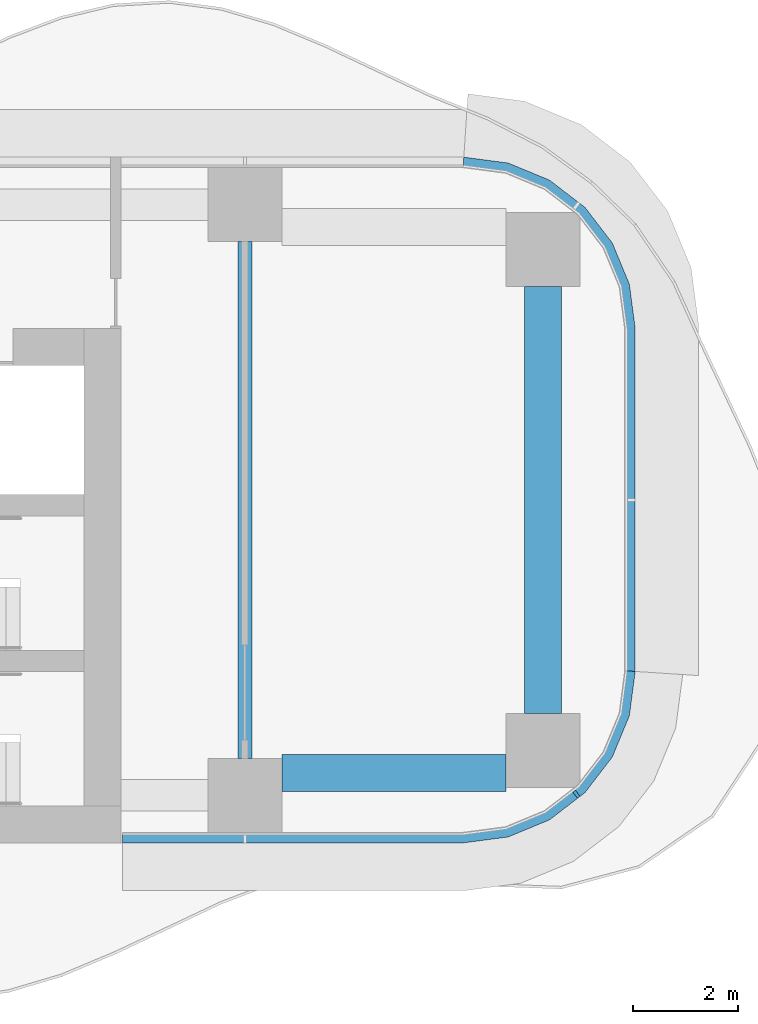
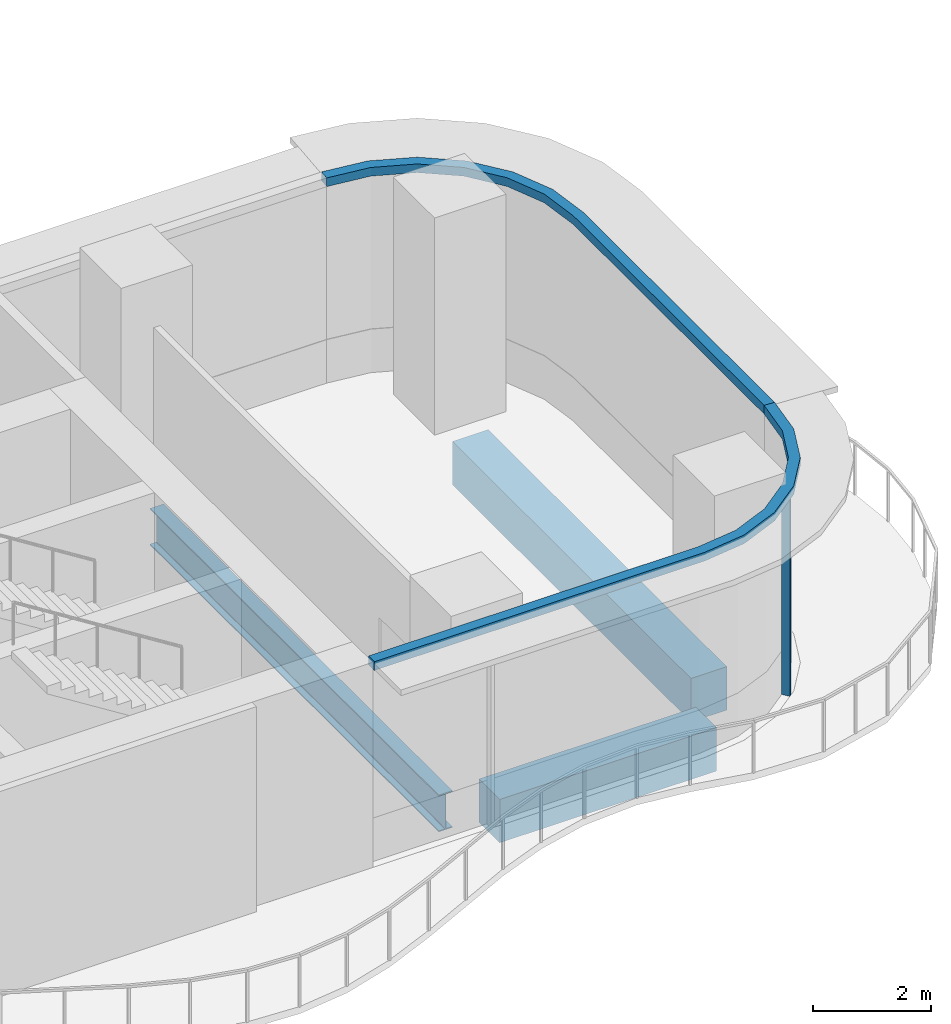
# One storey, part 7 of 23: 3 beams, 3 members, 2 elements without a shape of their own.
"""IFC4 building model written with IfcOpenShell, lengths in metres."""

from ifc_helpers import new_model, si_unit, direction, frame, origin, origin_2d, place, context, subcontext, project, spatial, polyline, rectangle, i_section, outline, extrude, source, transform, mapped, material, layer, layer_set, material_profile, profile_set, type_object, element, aggregate, save


model = new_model("IFC4")

# Units and contexts
model_context = context("Model", 3, precision=1e-05, world=origin(), true_north=direction((0.0, 1.0)))
body_context = subcontext(model_context, "Body", "Model", "MODEL_VIEW")
ifc_project = project(units=[si_unit("LENGTHUNIT", "METRE"), si_unit("AREAUNIT", "SQUARE_METRE"), si_unit("VOLUMEUNIT", "CUBIC_METRE"), si_unit("PLANEANGLEUNIT", "RADIAN"), si_unit("MASSUNIT", "GRAM", prefix="KILO")], contexts=[model_context])

# Site, building, storey
site_placement = place(None, origin())
site = spatial("IfcSite", under=ifc_project, at=site_placement, CompositionType="ELEMENT")
building_placement = place(site_placement, origin())
building = spatial("IfcBuilding", under=site, at=building_placement, Name="Trellis Farm Tower", CompositionType="ELEMENT")
storey_placement = place(building_placement, frame((0.0, 0.0, 83.5)))
storey = spatial("IfcBuildingStorey", under=building, at=storey_placement, Name="L17", CompositionType="ELEMENT", Elevation=83.5)

# Beams
ifc_material_1 = material(Name="Steel S355", Category="steel")
ifc_material_profile_1 = material_profile(ifc_material_1, i_section(OverallWidth=0.2666015625, OverallDepth=0.76220703125, WebThickness=0.014404296875, FlangeThickness=0.021484375, FilletRadius=0.0166015625, at=origin_2d()), Name="UB 762x267x173")
ifc_profile_set_1 = profile_set([ifc_material_profile_1], Name="Steel S355")
beam_type_1 = type_object("IfcBeamType", Name="UB 762x267x173", PredefinedType="BEAM", material=ifc_profile_set_1)
shared_shape_1 = source(origin(), body_context, "Body", "SweptSolid", [
    extrude(i_section(OverallWidth=0.2666015625, OverallDepth=0.76220703125, WebThickness=0.014404296875, FlangeThickness=0.021484375, FilletRadius=0.0166015625, at=origin_2d()), origin(), (0.0, 0.0, 1.0), 9.7998046875),
])
beam_1_placement = place(storey_placement, frame((25.10009765625, -4.89990234375, -0.631103515625), z_axis=(0.0, 1.0, 0.0), x_axis=(-1.0, 0.0, 0.0)))
element("IfcBeam", 1, at=beam_1_placement, inside=storey, type_object=beam_type_1, Name="Girder", PredefinedType="BEAM", context=body_context, shape_type="MappedRepresentation", body=[
    mapped(shared_shape_1, transform((0.0, 0.0, 0.0))),
])
ifc_material_2 = material(Name="Concrete C60/75", Category="concrete")
ifc_material_profile_2 = material_profile(ifc_material_2, rectangle(XDim=0.699951171875, YDim=0.89990234375, at=origin_2d()), Name="RC spandrel beam 700x900 C60/75")
ifc_profile_set_2 = profile_set([ifc_material_profile_2], Name="Concrete C60/75")
beam_type_2 = type_object("IfcBeamType", Name="RC spandrel beam 700x900 C60/75", PredefinedType="SPANDREL", material=ifc_profile_set_2)
shared_shape_2 = source(origin(), body_context, "Body", "SweptSolid", [
    extrude(rectangle(XDim=0.699951171875, YDim=0.89990234375, at=origin_2d()), origin(), (0.0, 0.0, 1.0), 4.25),
])
beam_2_placement = place(storey_placement, frame((25.800048828125, -5.175048828125, -0.699951171875), z_axis=(1.0, 0.0, 0.0), x_axis=(0.0, 1.0, 0.0)))
element("IfcBeam", 2, at=beam_2_placement, inside=storey, type_object=beam_type_2, Name="Girder", PredefinedType="SPANDREL", context=body_context, shape_type="MappedRepresentation", body=[
    mapped(shared_shape_2, transform((0.0, 0.0, 0.0))),
])
shared_shape_3 = source(origin(), body_context, "Body", "SweptSolid", [
    extrude(rectangle(XDim=0.699951171875, YDim=0.89990234375, at=origin_2d()), origin(), (0.0, 0.0, 1.0), 8.10009765625),
])
beam_3_placement = place(storey_placement, frame((30.75, -4.050048828125, -0.699951171875), z_axis=(0.0, 1.0, 0.0), x_axis=(-1.0, 0.0, 0.0)))
element("IfcBeam", 3, at=beam_3_placement, inside=storey, type_object=beam_type_2, Name="Girder", PredefinedType="SPANDREL", context=body_context, shape_type="MappedRepresentation", body=[
    mapped(shared_shape_3, transform((0.0, 0.0, 0.0))),
])

# Curtain wall, members
ifc_material_3 = material(Name="Aluminium and glass curtain wall", Category="aluminium")
ifc_layer_1 = layer(ifc_material_3, 0.18994140625)
ifc_layer_set_1 = layer_set([ifc_layer_1], Name="RIBBON CURTAIN WALL CW1")
curtain_wall_type = type_object("IfcCurtainWallType", Name="RIBBON CURTAIN WALL CW1", PredefinedType="NOTDEFINED", material=ifc_layer_set_1)
placement_1 = place(storey_placement, origin())
curtain_wall_1 = element("IfcCurtainWall", 4, at=placement_1, inside=storey, type_object=curtain_wall_type, Name="CW1 005", PredefinedType="NOTDEFINED")
ifc_material_4 = material(Name="Aluminium extrusion 6063-T6", Category="aluminium")
ifc_material_profile_3 = material_profile(ifc_material_4, rectangle(XDim=0.06005859375, YDim=0.14990234375, at=origin_2d()), Name="MULLION 60x150")
ifc_profile_set_3 = profile_set([ifc_material_profile_3], Name="Aluminium extrusion 6063-T6")
member_type_1 = type_object("IfcMemberType", Name="CW1 MULLION 60x150", PredefinedType="MULLION", material=ifc_profile_set_3)
shared_shape_4 = source(origin(), body_context, "Body", "SweptSolid", [
    extrude(rectangle(XDim=0.06005859375, YDim=0.14990234375, at=origin_2d()), origin(), (0.0, 0.0, 1.0), 4.070068359375),
])
member_1_placement = place(storey_placement, frame((31.385498046875, -5.578369140625, 0.0), z_axis=(0.0, 0.0, 1.0), x_axis=(0.793353340291, 0.608761429009, 0.0)))
member_1 = element("IfcMember", 5, at=member_1_placement, type_object=member_type_1, Name="MU1 005-02", PredefinedType="MULLION", context=body_context, shape_type="MappedRepresentation", body=[
    mapped(shared_shape_4, transform((0.0, 0.0, 0.0))),
])
ifc_layer_2 = layer(ifc_material_4, 0.199951171875)
ifc_layer_set_2 = layer_set([ifc_layer_2], Name="Aluminium extrusion 6063-T6")
member_type_2 = type_object("IfcMemberType", Name="CW1 TRANSOM 200x180", PredefinedType="USERDEFINED", material=ifc_layer_set_2)
shared_shape_5 = source(origin(), body_context, "Body", "SweptSolid", [
    extrude(outline(polyline([(22.780029296875, -6.5), (29.25, -6.5), (30.091064453125, -6.38916015625), (30.875, -6.064697265625), (31.548095703125, -5.548095703125), (32.064697265625, -4.875), (32.38916015625, -4.091064453125), (32.5, -3.25), (32.300048828125, -3.23681640625), (32.1943359375, -4.0390625), (31.889892578125, -4.774169921875), (31.405517578125, -5.405517578125), (30.774169921875, -5.889892578125), (30.0390625, -6.1943359375), (29.23681640625, -6.300048828125), (22.780029296875, -6.300048828125), (22.780029296875, -6.5)])), origin(), (0.0, 0.0, 1.0), 0.179931640625),
])
placement_2 = place(storey_placement, frame((0.0, 0.0, 4.070068359375)))
member_2 = element("IfcMember", 6, at=placement_2, type_object=member_type_2, Name="TR1 005", ObjectType="TRANSOM", PredefinedType="USERDEFINED", context=body_context, shape_type="MappedRepresentation", body=[
    mapped(shared_shape_5, transform((0.0, 0.0, 0.0))),
])
aggregate(curtain_wall_1, [member_1, member_2])

# Curtain wall, member
curtain_wall_2 = element("IfcCurtainWall", 7, at=placement_1, inside=storey, type_object=curtain_wall_type, Name="CW1 006", PredefinedType="NOTDEFINED")
shared_shape_6 = source(origin(), body_context, "Body", "SweptSolid", [
    extrude(outline(polyline([(32.5, -3.25), (32.5, 3.25), (32.38916015625, 4.091064453125), (32.064697265625, 4.875), (31.548095703125, 5.548095703125), (30.875, 6.064697265625), (30.091064453125, 6.38916015625), (29.25, 6.5), (29.23681640625, 6.300048828125), (30.0390625, 6.1943359375), (30.774169921875, 5.889892578125), (31.405517578125, 5.405517578125), (31.889892578125, 4.774169921875), (32.1943359375, 4.0390625), (32.300048828125, 3.23681640625), (32.300048828125, -3.23681640625), (32.5, -3.25)])), origin(), (0.0, 0.0, 1.0), 0.179931640625),
])
member_3 = element("IfcMember", 8, at=placement_2, type_object=member_type_2, Name="TR1 006", ObjectType="TRANSOM", PredefinedType="USERDEFINED", context=body_context, shape_type="MappedRepresentation", body=[
    mapped(shared_shape_6, transform((0.0, 0.0, 0.0))),
])
aggregate(curtain_wall_2, [member_3])

save(model, "model.ifc")
